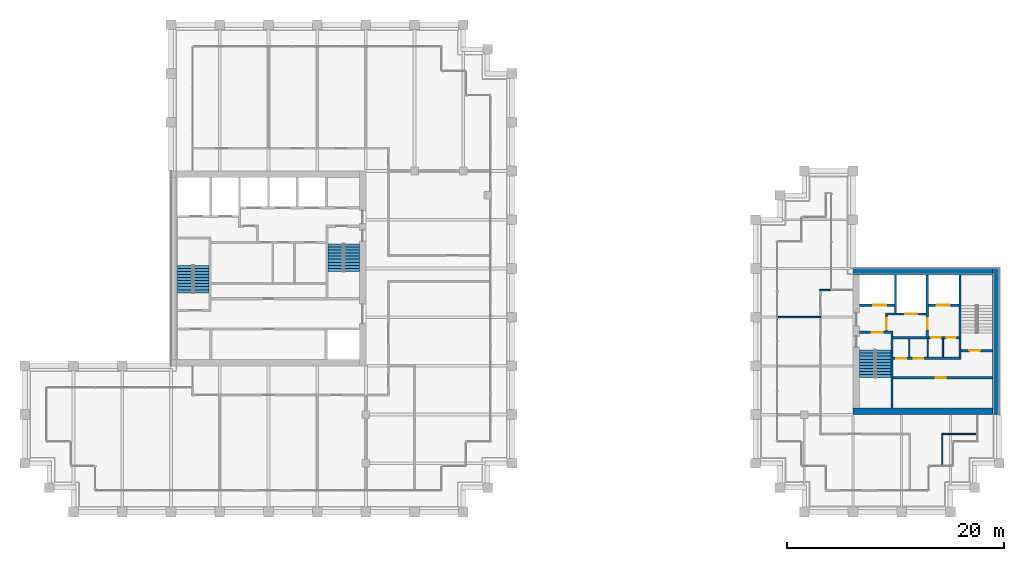
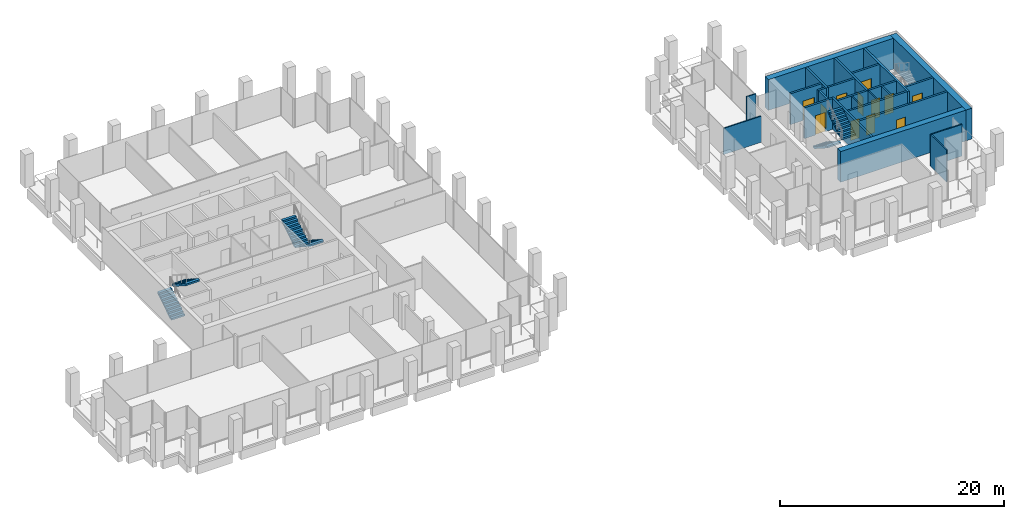
# One storey, part 38 of 40: 24 walls, 12 doors, 6 stair flights, 12 openings, 3 elements without a shape of their own.
"""IFC4 building model written with IfcOpenShell, lengths in metres."""

from ifc_helpers import new_model, si_unit, direction, frame, frame_2d, origin, place, context, subcontext, project, spatial, polyline, rectangle, outline, extrude, material, layer, layer_set, type_object, element, fill, aggregate, save


model = new_model("IFC4")

# Units and contexts
model_context = context("Model", 3, precision=1e-05, world=origin(), true_north=direction((0.0, 1.0)))
body_context = subcontext(model_context, "Body", "Model", "MODEL_VIEW")
ifc_project = project(units=[si_unit("LENGTHUNIT", "METRE"), si_unit("AREAUNIT", "SQUARE_METRE"), si_unit("VOLUMEUNIT", "CUBIC_METRE"), si_unit("PLANEANGLEUNIT", "RADIAN"), si_unit("MASSUNIT", "GRAM", prefix="KILO")], contexts=[model_context])

# Site, building, storey
site_placement = place(None, origin())
site = spatial("IfcSite", under=ifc_project, at=site_placement, CompositionType="ELEMENT")
building_placement = place(site_placement, origin())
building = spatial("IfcBuilding", under=site, at=building_placement, Name="Altepetl Exchange Towers", CompositionType="ELEMENT")
storey_placement = place(building_placement, frame((0.0, 0.0, 172.60009765625)))
storey = spatial("IfcBuildingStorey", under=building, at=storey_placement, Name="L43", CompositionType="ELEMENT", Elevation=172.60009765625)

# Walls
ifc_material_1 = material(Name="Concrete C70/85", Category="concrete")
ifc_layer_1 = layer(ifc_material_1, 0.60009765625)
ifc_layer_set_1 = layer_set([ifc_layer_1], Name="Concrete C70/85")
wall_type_1 = type_object("IfcWallType", Name="Core wall 600 reinforced concrete", PredefinedType="SHEAR", material=ifc_layer_set_1)
wall_1_placement = place(storey_placement, frame((103.5, 36.300048828125, 0.0)))
element("IfcWall", 1, at=wall_1_placement, inside=storey, type_object=wall_type_1, Name="wall:B:L43:K-coreS", PredefinedType="SHEAR", context=body_context, shape_type="SweptSolid", body=[
    extrude(rectangle(XDim=12.89990234375, YDim=0.60009765625, at=frame_2d((6.449951171875, 0.0))), origin(), (0.0, 0.0, 1.0), 3.349853515625),
])
ifc_layer_2 = layer(ifc_material_1, 0.60009765625)
ifc_layer_set_2 = layer_set([ifc_layer_2], Name="Concrete C70/85")
wall_type_2 = type_object("IfcWallType", Name="Core wall 600 reinforced concrete external", PredefinedType="SHEAR", material=ifc_layer_set_2)
wall_2_placement = place(storey_placement, frame((116.699951171875, 36.0, 0.0), z_axis=(0.0, 0.0, 1.0), x_axis=(0.0, 1.0, 0.0)))
element("IfcWall", 2, at=wall_2_placement, inside=storey, type_object=wall_type_2, Name="wall:B:L43:K-coreE", PredefinedType="SHEAR", context=body_context, shape_type="SweptSolid", body=[
    extrude(rectangle(XDim=13.5, YDim=0.60009765625, at=frame_2d((6.75, 0.0))), origin(), (0.0, 0.0, 1.0), 3.349853515625),
])
wall_3_placement = place(storey_placement, frame((103.5, 49.199951171875, 0.0)))
element("IfcWall", 3, at=wall_3_placement, inside=storey, type_object=wall_type_2, Name="wall:B:L43:K-coreN", PredefinedType="SHEAR", context=body_context, shape_type="SweptSolid", body=[
    extrude(rectangle(XDim=12.89990234375, YDim=0.60009765625, at=frame_2d((6.449951171875, 0.0))), origin(), (0.0, 0.0, 1.0), 3.349853515625),
])
ifc_material_2 = material(Name="Concrete blockwork", Category="masonry")
ifc_layer_3 = layer(ifc_material_2, 0.199951171875)
ifc_layer_set_3 = layer_set([ifc_layer_3], Name="Concrete blockwork")
wall_type_3 = type_object("IfcWallType", Name="Lobby wall 200 blockwork", PredefinedType="PARTITIONING", material=ifc_layer_set_3)
wall_4_placement = place(storey_placement, frame((106.5, 45.300048828125, 0.0)))
element("IfcWall", 4, at=wall_4_placement, inside=storey, type_object=wall_type_3, Name="wall:B:L43:K-ffNw", PredefinedType="PARTITIONING", context=body_context, shape_type="SweptSolid", body=[
    extrude(rectangle(XDim=0.833251953125, YDim=0.199951171875, at=frame_2d((0.41650390625, 0.0))), origin(), (0.0, 0.0, 1.0), 3.349853515625),
])

# Wall, opening, door
wall_5_placement = place(storey_placement, frame((106.60009765625, 43.699951171875, 0.0), z_axis=(0.0, 0.0, 1.0), x_axis=(0.0, 1.0, 0.0)))
wall_5 = element("IfcWall", 5, at=wall_5_placement, inside=storey, type_object=wall_type_3, Name="wall:B:L43:K-ffW", PredefinedType="PARTITIONING", context=body_context, shape_type="SweptSolid", body=[
    extrude(rectangle(XDim=1.5, YDim=0.199951171875, at=frame_2d((0.75, 0.0))), origin(), (0.0, 0.0, 1.0), 3.349853515625),
])
opening_1_placement = place(wall_5_placement, frame((0.199951171875, 0.0, 0.0)))
opening_1 = element("IfcOpeningElement", 6, at=opening_1_placement, cuts=wall_5, Name="Opening L43.B65", PredefinedType="OPENING", context=body_context, shape_type="SweptSolid", body=[
    extrude(rectangle(XDim=1.0, YDim=2.10009765625, at=frame_2d((0.5, 1.050048828125))), frame((0.0, 0.10986328125, 0.0), z_axis=(0.0, -1.0, 0.0), x_axis=(1.0, 0.0, 0.0)), (0.0, 0.0, 1.0), 0.219970703125),
])
ifc_material_3 = material(Name="Steel and timber fire door", Category="steel")
door_type_1 = type_object("IfcDoorType", Name="Fire door 1000 x 2100 stair and lobby", OperationType="SINGLE_SWING_LEFT", PredefinedType="DOOR", material=ifc_material_3)
door_1_placement = place(opening_1_placement, frame((1.0, 0.0, 0.0), x_axis=(-1.0, 0.0, 0.0)))
door_1 = element("IfcDoor", 7, at=door_1_placement, inside=storey, type_object=door_type_1, Name="door:B:L43:K-dffW", OperationType="SINGLE_SWING_LEFT", OverallHeight=2.10009765625, OverallWidth=1.0, PredefinedType="DOOR", context=body_context, shape_type="SweptSolid", body=[
    extrude(rectangle(XDim=1.0, YDim=2.10009765625, at=frame_2d((0.5, 1.050048828125))), frame((0.0, 0.02490234375, 0.0), z_axis=(0.0, -1.0, 0.0), x_axis=(1.0, 0.0, 0.0)), (0.0, 0.0, 1.0), 0.050048828125),
])
fill(opening_1, door_1)

# Wall, openings, doors
wall_6_placement = place(storey_placement, frame((107.199951171875, 43.10009765625, 0.0)))
wall_6 = element("IfcWall", 8, at=wall_6_placement, inside=storey, type_object=wall_type_3, Name="wall:B:L43:K-zoneN", PredefinedType="PARTITIONING", context=body_context, shape_type="SweptSolid", body=[
    extrude(rectangle(XDim=6.10009765625, YDim=0.199951171875, at=frame_2d((3.050048828125, 0.0))), origin(), (0.0, 0.0, 1.0), 3.349853515625),
])
opening_2_placement = place(wall_6_placement, frame((3.508544921875, 0.0, 0.0)))
opening_2 = element("IfcOpeningElement", 9, at=opening_2_placement, cuts=wall_6, Name="Opening L43.B69", PredefinedType="OPENING", context=body_context, shape_type="SweptSolid", body=[
    extrude(rectangle(XDim=0.89990234375, YDim=2.10009765625, at=frame_2d((0.449951171875, 1.050048828125))), frame((0.0, 0.10986328125, 0.0), z_axis=(0.0, -1.0, 0.0), x_axis=(1.0, 0.0, 0.0)), (0.0, 0.0, 1.0), 0.219970703125),
])
opening_3_placement = place(wall_6_placement, frame((4.89990234375, 0.0, 0.0)))
opening_3 = element("IfcOpeningElement", 10, at=opening_3_placement, cuts=wall_6, Name="Opening L43.B70", PredefinedType="OPENING", context=body_context, shape_type="SweptSolid", body=[
    extrude(rectangle(XDim=0.89990234375, YDim=2.10009765625, at=frame_2d((0.449951171875, 1.050048828125))), frame((0.0, 0.10986328125, 0.0), z_axis=(0.0, -1.0, 0.0), x_axis=(1.0, 0.0, 0.0)), (0.0, 0.0, 1.0), 0.219970703125),
])
door_type_2 = type_object("IfcDoorType", Name="Fire door 900 x 2100 service room", OperationType="SINGLE_SWING_LEFT", PredefinedType="DOOR", material=ifc_material_3)
door_2_placement = place(opening_2_placement, frame((0.89990234375, 0.0, 0.0), x_axis=(-1.0, 0.0, 0.0)))
door_2 = element("IfcDoor", 11, at=door_2_placement, inside=storey, type_object=door_type_2, Name="door:B:L43:K-dz3", OperationType="SINGLE_SWING_RIGHT", OverallHeight=2.10009765625, OverallWidth=0.89990234375, PredefinedType="DOOR", context=body_context, shape_type="SweptSolid", body=[
    extrude(rectangle(XDim=0.89990234375, YDim=2.10009765625, at=frame_2d((0.449951171875, 1.050048828125))), frame((0.0, 0.02490234375, 0.0), z_axis=(0.0, -1.0, 0.0), x_axis=(1.0, 0.0, 0.0)), (0.0, 0.0, 1.0), 0.050048828125),
])
fill(opening_2, door_2)
door_3_placement = place(opening_3_placement, frame((0.89990234375, 0.0, 0.0), x_axis=(-1.0, 0.0, 0.0)))
door_3 = element("IfcDoor", 12, at=door_3_placement, inside=storey, type_object=door_type_2, Name="door:B:L43:K-dz4", OperationType="SINGLE_SWING_LEFT", OverallHeight=2.10009765625, OverallWidth=0.89990234375, PredefinedType="DOOR", context=body_context, shape_type="SweptSolid", body=[
    extrude(rectangle(XDim=0.89990234375, YDim=2.10009765625, at=frame_2d((0.449951171875, 1.050048828125))), frame((0.0, 0.02490234375, 0.0), z_axis=(0.0, -1.0, 0.0), x_axis=(1.0, 0.0, 0.0)), (0.0, 0.0, 1.0), 0.050048828125),
])
fill(opening_3, door_3)

wall_7_placement = place(storey_placement, frame((107.199951171875, 41.199951171875, 0.0)))
wall_7 = element("IfcWall", 13, at=wall_7_placement, inside=storey, type_object=wall_type_3, Name="wall:B:L43:K-zoneS", PredefinedType="PARTITIONING", context=body_context, shape_type="SweptSolid", body=[
    extrude(rectangle(XDim=6.10009765625, YDim=0.199951171875, at=frame_2d((3.050048828125, 0.0))), origin(), (0.0, 0.0, 1.0), 3.349853515625),
])
opening_4_placement = place(wall_7_placement, frame((0.300048828125, 0.0, 0.0)))
opening_4 = element("IfcOpeningElement", 14, at=opening_4_placement, cuts=wall_7, Name="Opening L43.B67", PredefinedType="OPENING", context=body_context, shape_type="SweptSolid", body=[
    extrude(rectangle(XDim=0.89990234375, YDim=2.10009765625, at=frame_2d((0.449951171875, 1.050048828125))), frame((0.0, 0.10986328125, 0.0), z_axis=(0.0, -1.0, 0.0), x_axis=(1.0, 0.0, 0.0)), (0.0, 0.0, 1.0), 0.219970703125),
])
opening_5_placement = place(wall_7_placement, frame((1.89990234375, 0.0, 0.0)))
opening_5 = element("IfcOpeningElement", 15, at=opening_5_placement, cuts=wall_7, Name="Opening L43.B68", PredefinedType="OPENING", context=body_context, shape_type="SweptSolid", body=[
    extrude(rectangle(XDim=0.89990234375, YDim=2.10009765625, at=frame_2d((0.449951171875, 1.050048828125))), frame((0.0, 0.10986328125, 0.0), z_axis=(0.0, -1.0, 0.0), x_axis=(1.0, 0.0, 0.0)), (0.0, 0.0, 1.0), 0.219970703125),
])
door_4_placement = place(opening_4_placement, origin())
door_4 = element("IfcDoor", 16, at=door_4_placement, inside=storey, type_object=door_type_2, Name="door:B:L43:K-dz1", OperationType="SINGLE_SWING_RIGHT", OverallHeight=2.10009765625, OverallWidth=0.89990234375, PredefinedType="DOOR", context=body_context, shape_type="SweptSolid", body=[
    extrude(rectangle(XDim=0.89990234375, YDim=2.10009765625, at=frame_2d((0.449951171875, 1.050048828125))), frame((0.0, 0.02490234375, 0.0), z_axis=(0.0, -1.0, 0.0), x_axis=(1.0, 0.0, 0.0)), (0.0, 0.0, 1.0), 0.050048828125),
])
fill(opening_4, door_4)
door_5_placement = place(opening_5_placement, origin())
door_5 = element("IfcDoor", 17, at=door_5_placement, inside=storey, type_object=door_type_2, Name="door:B:L43:K-dz2", OperationType="SINGLE_SWING_RIGHT", OverallHeight=2.10009765625, OverallWidth=0.89990234375, PredefinedType="DOOR", context=body_context, shape_type="SweptSolid", body=[
    extrude(rectangle(XDim=0.89990234375, YDim=2.10009765625, at=frame_2d((0.449951171875, 1.050048828125))), frame((0.0, 0.02490234375, 0.0), z_axis=(0.0, -1.0, 0.0), x_axis=(1.0, 0.0, 0.0)), (0.0, 0.0, 1.0), 0.050048828125),
])
fill(opening_5, door_5)

# Walls
ifc_material_4 = material(Name="Gypsum board on steel studs", Category="steel")
ifc_layer_4 = layer(ifc_material_4, 0.125)
ifc_layer_set_4 = layer_set([ifc_layer_4], Name="Gypsum board on steel studs")
wall_type_4 = type_object("IfcWallType", Name="Partition 125 gypsum board on steel studs", PredefinedType="PARTITIONING", material=ifc_layer_set_4)
for number, where, z_axis, x_axis, name in (
    (18, (108.699951171875, 41.300048828125, 0.0), (0.0, 0.0, 1.0), (0.0, 1.0, 0.0), "wall:B:L43:K-zp1"),
    (19, (110.39990234375, 41.300048828125, 0.0), (0.0, 0.0, 1.0), (0.0, 1.0, 0.0), "wall:B:L43:K-zp2"),
    (20, (111.800048828125, 41.300048828125, 0.0), (0.0, 0.0, 1.0), (0.0, 1.0, 0.0), "wall:B:L43:K-zp3"),
):
    element("IfcWall", number, at=place(storey_placement, frame(where, z_axis=z_axis, x_axis=x_axis)), inside=storey, type_object=wall_type_4, Name=name, PredefinedType="PARTITIONING", context=body_context, shape_type="SweptSolid", body=[
        extrude(rectangle(XDim=1.699951171875, YDim=0.125, at=frame_2d((0.85009765625, 0.0))), origin(), (0.0, 0.0, 1.0), 3.349853515625),
    ])
wall_8_placement = place(storey_placement, frame((111.6875, 34.199951171875, 0.0)))
element("IfcWall", 21, at=wall_8_placement, inside=storey, type_object=wall_type_4, Name="wall:B:L43:P02", PredefinedType="PARTITIONING", context=body_context, shape_type="SweptSolid", body=[
    extrude(rectangle(XDim=3.21240234375, YDim=0.125, at=frame_2d((1.606201171875, 0.0))), origin(), (0.0, 0.0, 1.0), 3.449951171875),
])
wall_9_placement = place(storey_placement, frame((96.60009765625, 45.0, 0.0)))
element("IfcWall", 22, at=wall_9_placement, inside=storey, type_object=wall_type_4, Name="wall:B:L43:P06", PredefinedType="PARTITIONING", context=body_context, shape_type="SweptSolid", body=[
    extrude(rectangle(XDim=3.89990234375, YDim=0.125, at=frame_2d((1.949951171875, 0.0))), origin(), (0.0, 0.0, 1.0), 2.850830078125),
])
wall_10_placement = place(storey_placement, frame((100.4375, 47.5, 0.0)))
element("IfcWall", 23, at=wall_10_placement, inside=storey, type_object=wall_type_4, Name="wall:B:L43:P07", PredefinedType="PARTITIONING", context=body_context, shape_type="SweptSolid", body=[
    extrude(rectangle(XDim=0.96240234375, YDim=0.125, at=frame_2d((0.481201171875, 0.0))), origin(), (0.0, 0.0, 1.0), 3.449951171875),
])
wall_11_placement = place(storey_placement, frame((111.75, 31.35009765625, 0.0), z_axis=(0.0, 0.0, 1.0), x_axis=(0.0, 1.0, 0.0)))
element("IfcWall", 24, at=wall_11_placement, inside=storey, type_object=wall_type_4, Name="wall:B:L43:P10", PredefinedType="PARTITIONING", context=body_context, shape_type="SweptSolid", body=[
    extrude(rectangle(XDim=2.787353515625, YDim=0.125, at=frame_2d((1.3935546875, 0.0))), origin(), (0.0, 0.0, 1.0), 3.449951171875),
])
ifc_material_5 = material(Name="Concrete C40/50", Category="concrete")
ifc_layer_5 = layer(ifc_material_5, 0.199951171875)
ifc_layer_set_5 = layer_set([ifc_layer_5], Name="Concrete C40/50")
wall_type_5 = type_object("IfcWallType", Name="Shaft wall 200 reinforced concrete", PredefinedType="SHEAR", material=ifc_layer_set_5)
wall_12_placement = place(storey_placement, frame((107.433349609375, 48.89990234375, 0.0), z_axis=(0.0, 0.0, 1.0), x_axis=(0.0, -1.0, 0.0)))
element("IfcWall", 25, at=wall_12_placement, inside=storey, type_object=wall_type_5, Name="wall:B:L43:K-divN1", PredefinedType="SHEAR", context=body_context, shape_type="SweptSolid", body=[
    extrude(rectangle(XDim=3.699951171875, YDim=0.199951171875, at=frame_2d((1.85009765625, 0.0))), origin(), (0.0, 0.0, 1.0), 3.349853515625),
])

# Wall, opening, door
wall_13_placement = place(storey_placement, frame((110.36669921875, 48.89990234375, 0.0), z_axis=(0.0, 0.0, 1.0), x_axis=(0.0, -1.0, 0.0)))
wall_13 = element("IfcWall", 26, at=wall_13_placement, inside=storey, type_object=wall_type_5, Name="wall:B:L43:K-divN2", PredefinedType="SHEAR", context=body_context, shape_type="SweptSolid", body=[
    extrude(rectangle(XDim=5.7998046875, YDim=0.199951171875, at=frame_2d((2.89990234375, 0.0))), origin(), (0.0, 0.0, 1.0), 3.349853515625),
])
opening_6_placement = place(wall_13_placement, frame((4.0, 0.0, 0.0)))
opening_6 = element("IfcOpeningElement", 27, at=opening_6_placement, cuts=wall_13, Name="Opening L43.B64", PredefinedType="OPENING", context=body_context, shape_type="SweptSolid", body=[
    extrude(rectangle(XDim=1.0, YDim=2.10009765625, at=frame_2d((0.5, 1.050048828125))), frame((0.0, 0.10986328125, 0.0), z_axis=(0.0, -1.0, 0.0), x_axis=(1.0, 0.0, 0.0)), (0.0, 0.0, 1.0), 0.219970703125),
])
door_6_placement = place(opening_6_placement, frame((1.0, 0.0, 0.0), x_axis=(-1.0, 0.0, 0.0)))
door_6 = element("IfcDoor", 28, at=door_6_placement, inside=storey, type_object=door_type_1, Name="door:B:L43:K-dffE", OperationType="SINGLE_SWING_RIGHT", OverallHeight=2.10009765625, OverallWidth=1.0, PredefinedType="DOOR", context=body_context, shape_type="SweptSolid", body=[
    extrude(rectangle(XDim=1.0, YDim=2.10009765625, at=frame_2d((0.5, 1.050048828125))), frame((0.0, 0.02490234375, 0.0), z_axis=(0.0, -1.0, 0.0), x_axis=(1.0, 0.0, 0.0)), (0.0, 0.0, 1.0), 0.050048828125),
])
fill(opening_6, door_6)

wall_14_placement = place(storey_placement, frame((104.10009765625, 46.10009765625, 0.0)))
wall_14 = element("IfcWall", 29, at=wall_14_placement, inside=storey, type_object=wall_type_5, Name="wall:B:L43:K-frontNa", PredefinedType="SHEAR", context=body_context, shape_type="SweptSolid", body=[
    extrude(rectangle(XDim=3.233154296875, YDim=0.199951171875, at=frame_2d((1.61669921875, 0.0))), origin(), (0.0, 0.0, 1.0), 3.349853515625),
])
opening_7_placement = place(wall_14_placement, frame((1.2666015625, 0.0, 0.0)))
opening_7 = element("IfcOpeningElement", 30, at=opening_7_placement, cuts=wall_14, Name="Opening L43.B72", PredefinedType="OPENING", context=body_context, shape_type="SweptSolid", body=[
    extrude(rectangle(XDim=1.199951171875, YDim=2.10009765625, at=frame_2d((0.60009765625, 1.050048828125))), frame((0.0, 0.10986328125, 0.0), z_axis=(0.0, -1.0, 0.0), x_axis=(1.0, 0.0, 0.0)), (0.0, 0.0, 1.0), 0.219970703125),
])
ifc_material_6 = material(Name="Stainless steel", Category="steel")
door_type_3 = type_object("IfcDoorType", Name="Lift landing door 1200 x 2100", OperationType="SLIDING_TO_LEFT", PredefinedType="DOOR", material=ifc_material_6)
door_7_placement = place(opening_7_placement, origin())
door_7 = element("IfcDoor", 31, at=door_7_placement, inside=storey, type_object=door_type_3, Name="Landing door P4", OperationType="SLIDING_TO_LEFT", OverallHeight=2.10009765625, OverallWidth=1.199951171875, PredefinedType="DOOR", context=body_context, shape_type="SweptSolid", body=[
    extrude(rectangle(XDim=1.199951171875, YDim=2.10009765625, at=frame_2d((0.60009765625, 1.050048828125))), frame((0.0, 0.02490234375, 0.0), z_axis=(0.0, -1.0, 0.0), x_axis=(1.0, 0.0, 0.0)), (0.0, 0.0, 1.0), 0.050048828125),
])
fill(opening_7, door_7)

wall_15_placement = place(storey_placement, frame((110.466796875, 46.10009765625, 0.0)))
wall_15 = element("IfcWall", 32, at=wall_15_placement, inside=storey, type_object=wall_type_5, Name="wall:B:L43:K-frontNb", PredefinedType="SHEAR", context=body_context, shape_type="SweptSolid", body=[
    extrude(rectangle(XDim=2.833251953125, YDim=0.199951171875, at=frame_2d((1.41650390625, 0.0))), origin(), (0.0, 0.0, 1.0), 3.349853515625),
])
opening_8_placement = place(wall_15_placement, frame((0.7666015625, 0.0, 0.0)))
opening_8 = element("IfcOpeningElement", 33, at=opening_8_placement, cuts=wall_15, Name="Opening L43.B73", PredefinedType="OPENING", context=body_context, shape_type="SweptSolid", body=[
    extrude(rectangle(XDim=1.199951171875, YDim=2.10009765625, at=frame_2d((0.60009765625, 1.050048828125))), frame((0.0, 0.10986328125, 0.0), z_axis=(0.0, -1.0, 0.0), x_axis=(1.0, 0.0, 0.0)), (0.0, 0.0, 1.0), 0.219970703125),
])
door_8_placement = place(opening_8_placement, origin())
door_8 = element("IfcDoor", 34, at=door_8_placement, inside=storey, type_object=door_type_3, Name="Landing door P5", OperationType="SLIDING_TO_LEFT", OverallHeight=2.10009765625, OverallWidth=1.199951171875, PredefinedType="DOOR", context=body_context, shape_type="SweptSolid", body=[
    extrude(rectangle(XDim=1.199951171875, YDim=2.10009765625, at=frame_2d((0.60009765625, 1.050048828125))), frame((0.0, 0.02490234375, 0.0), z_axis=(0.0, -1.0, 0.0), x_axis=(1.0, 0.0, 0.0)), (0.0, 0.0, 1.0), 0.050048828125),
])
fill(opening_8, door_8)

wall_16_placement = place(storey_placement, frame((107.533203125, 45.300048828125, 0.0)))
wall_16 = element("IfcWall", 35, at=wall_16_placement, inside=storey, type_object=wall_type_5, Name="wall:B:L43:K-frontNd", PredefinedType="SHEAR", context=body_context, shape_type="SweptSolid", body=[
    extrude(rectangle(XDim=2.7333984375, YDim=0.199951171875, at=frame_2d((1.36669921875, 0.0))), origin(), (0.0, 0.0, 1.0), 3.349853515625),
])
opening_9_placement = place(wall_16_placement, frame((0.816650390625, 0.0, 0.0)))
opening_9 = element("IfcOpeningElement", 36, at=opening_9_placement, cuts=wall_16, Name="Opening L43.B71", PredefinedType="OPENING", context=body_context, shape_type="SweptSolid", body=[
    extrude(rectangle(XDim=1.10009765625, YDim=2.10009765625, at=frame_2d((0.550048828125, 1.050048828125))), frame((0.0, 0.10986328125, 0.0), z_axis=(0.0, -1.0, 0.0), x_axis=(1.0, 0.0, 0.0)), (0.0, 0.0, 1.0), 0.219970703125),
])
door_type_4 = type_object("IfcDoorType", Name="Lift landing door 1100 x 2100", OperationType="SLIDING_TO_LEFT", PredefinedType="DOOR", material=ifc_material_6)
door_9_placement = place(opening_9_placement, origin())
door_9 = element("IfcDoor", 37, at=door_9_placement, inside=storey, type_object=door_type_4, Name="Landing door FFL1", OperationType="SLIDING_TO_LEFT", OverallHeight=2.10009765625, OverallWidth=1.10009765625, PredefinedType="DOOR", context=body_context, shape_type="SweptSolid", body=[
    extrude(rectangle(XDim=1.10009765625, YDim=2.10009765625, at=frame_2d((0.550048828125, 1.050048828125))), frame((0.0, 0.02490234375, 0.0), z_axis=(0.0, -1.0, 0.0), x_axis=(1.0, 0.0, 0.0)), (0.0, 0.0, 1.0), 0.050048828125),
])
fill(opening_9, door_9)

wall_17_placement = place(storey_placement, frame((107.199951171875, 39.39990234375, 0.0)))
wall_17 = element("IfcWall", 38, at=wall_17_placement, inside=storey, type_object=wall_type_5, Name="wall:B:L43:K-frontS", PredefinedType="SHEAR", context=body_context, shape_type="SweptSolid", body=[
    extrude(rectangle(XDim=9.199951171875, YDim=0.199951171875, at=frame_2d((4.60009765625, 0.0))), origin(), (0.0, 0.0, 1.0), 3.349853515625),
])
opening_10_placement = place(wall_17_placement, frame((3.949951171875, 0.0, 0.0)))
opening_10 = element("IfcOpeningElement", 39, at=opening_10_placement, cuts=wall_17, Name="Opening L43.B66", PredefinedType="OPENING", context=body_context, shape_type="SweptSolid", body=[
    extrude(rectangle(XDim=0.89990234375, YDim=2.10009765625, at=frame_2d((0.449951171875, 1.050048828125))), frame((0.0, 0.10986328125, 0.0), z_axis=(0.0, -1.0, 0.0), x_axis=(1.0, 0.0, 0.0)), (0.0, 0.0, 1.0), 0.219970703125),
])
door_10_placement = place(opening_10_placement, frame((0.89990234375, 0.0, 0.0), x_axis=(-1.0, 0.0, 0.0)))
door_10 = element("IfcDoor", 40, at=door_10_placement, inside=storey, type_object=door_type_2, Name="door:B:L43:K-dslotS0", OperationType="SINGLE_SWING_LEFT", OverallHeight=2.10009765625, OverallWidth=0.89990234375, PredefinedType="DOOR", context=body_context, shape_type="SweptSolid", body=[
    extrude(rectangle(XDim=0.89990234375, YDim=2.10009765625, at=frame_2d((0.449951171875, 1.050048828125))), frame((0.0, 0.02490234375, 0.0), z_axis=(0.0, -1.0, 0.0), x_axis=(1.0, 0.0, 0.0)), (0.0, 0.0, 1.0), 0.050048828125),
])
fill(opening_10, door_10)

# Wall
ifc_layer_6 = layer(ifc_material_5, 0.199951171875)
ifc_layer_set_6 = layer_set([ifc_layer_6], Name="Concrete C40/50")
wall_type_6 = type_object("IfcWallType", Name="Stair wall 200 reinforced concrete", PredefinedType="SHEAR", material=ifc_layer_set_6)
wall_18_placement = place(storey_placement, frame((107.10009765625, 36.60009765625, 0.0), z_axis=(0.0, 0.0, 1.0), x_axis=(0.0, 1.0, 0.0)))
element("IfcWall", 41, at=wall_18_placement, inside=storey, type_object=wall_type_6, Name="wall:B:L43:K-stS1E", PredefinedType="SHEAR", context=body_context, shape_type="SweptSolid", body=[
    extrude(rectangle(XDim=7.099853515625, YDim=0.199951171875, at=frame_2d((3.5498046875, 0.0))), origin(), (0.0, 0.0, 1.0), 3.349853515625),
])

# Wall, opening, door
wall_19_placement = place(storey_placement, frame((104.10009765625, 43.60009765625, 0.0)))
wall_19 = element("IfcWall", 42, at=wall_19_placement, inside=storey, type_object=wall_type_6, Name="wall:B:L43:K-stS1N", PredefinedType="SHEAR", context=body_context, shape_type="SweptSolid", body=[
    extrude(rectangle(XDim=2.89990234375, YDim=0.199951171875, at=frame_2d((1.449951171875, 0.0))), origin(), (0.0, 0.0, 1.0), 3.349853515625),
])
opening_11_placement = place(wall_19_placement, frame((1.14990234375, 0.0, 0.0)))
opening_11 = element("IfcOpeningElement", 43, at=opening_11_placement, cuts=wall_19, Name="Opening L43.B61", PredefinedType="OPENING", context=body_context, shape_type="SweptSolid", body=[
    extrude(rectangle(XDim=1.0, YDim=2.10009765625, at=frame_2d((0.5, 1.050048828125))), frame((0.0, 0.10986328125, 0.0), z_axis=(0.0, -1.0, 0.0), x_axis=(1.0, 0.0, 0.0)), (0.0, 0.0, 1.0), 0.219970703125),
])
door_11_placement = place(opening_11_placement, frame((1.0, 0.0, 0.0), x_axis=(-1.0, 0.0, 0.0)))
door_11 = element("IfcDoor", 44, at=door_11_placement, inside=storey, type_object=door_type_1, Name="door:B:L43:K-dS1in", OperationType="SINGLE_SWING_LEFT", OverallHeight=2.10009765625, OverallWidth=1.0, PredefinedType="DOOR", context=body_context, shape_type="SweptSolid", body=[
    extrude(rectangle(XDim=1.0, YDim=2.10009765625, at=frame_2d((0.5, 1.050048828125))), frame((0.0, 0.02490234375, 0.0), z_axis=(0.0, -1.0, 0.0), x_axis=(1.0, 0.0, 0.0)), (0.0, 0.0, 1.0), 0.050048828125),
])
fill(opening_11, door_11)

wall_20_placement = place(storey_placement, frame((113.5, 41.89990234375, 0.0)))
wall_20 = element("IfcWall", 45, at=wall_20_placement, inside=storey, type_object=wall_type_6, Name="wall:B:L43:K-stS2S", PredefinedType="SHEAR", context=body_context, shape_type="SweptSolid", body=[
    extrude(rectangle(XDim=2.89990234375, YDim=0.199951171875, at=frame_2d((1.449951171875, 0.0))), origin(), (0.0, 0.0, 1.0), 3.349853515625),
])
opening_12_placement = place(wall_20_placement, frame((0.75, 0.0, 0.0)))
opening_12 = element("IfcOpeningElement", 46, at=opening_12_placement, cuts=wall_20, Name="Opening L43.B63", PredefinedType="OPENING", context=body_context, shape_type="SweptSolid", body=[
    extrude(rectangle(XDim=1.0, YDim=2.10009765625, at=frame_2d((0.5, 1.050048828125))), frame((0.0, 0.10986328125, 0.0), z_axis=(0.0, -1.0, 0.0), x_axis=(1.0, 0.0, 0.0)), (0.0, 0.0, 1.0), 0.219970703125),
])
door_12_placement = place(opening_12_placement, origin())
door_12 = element("IfcDoor", 47, at=door_12_placement, inside=storey, type_object=door_type_1, Name="door:B:L43:K-dS2in", OperationType="SINGLE_SWING_RIGHT", OverallHeight=2.10009765625, OverallWidth=1.0, PredefinedType="DOOR", context=body_context, shape_type="SweptSolid", body=[
    extrude(rectangle(XDim=1.0, YDim=2.10009765625, at=frame_2d((0.5, 1.050048828125))), frame((0.0, 0.02490234375, 0.0), z_axis=(0.0, -1.0, 0.0), x_axis=(1.0, 0.0, 0.0)), (0.0, 0.0, 1.0), 0.050048828125),
])
fill(opening_12, door_12)

# Wall
wall_21_placement = place(storey_placement, frame((113.39990234375, 41.10009765625, 0.0), z_axis=(0.0, 0.0, 1.0), x_axis=(0.0, 1.0, 0.0)))
element("IfcWall", 48, at=wall_21_placement, inside=storey, type_object=wall_type_6, Name="wall:B:L43:K-stS2W", PredefinedType="SHEAR", context=body_context, shape_type="SweptSolid", body=[
    extrude(rectangle(XDim=7.7998046875, YDim=0.199951171875, at=frame_2d((3.89990234375, 0.0))), origin(), (0.0, 0.0, 1.0), 3.349853515625),
])

# Stair, stair flights
stair_type = type_object("IfcStairType", Name="Exit stair 1400 flights dogleg", PredefinedType="HALF_TURN_STAIR", material=ifc_material_5)
stair_1_placement = place(storey_placement, origin())
stair_1 = element("IfcStair", 49, at=stair_1_placement, inside=storey, type_object=stair_type, Name="Exit stair 1", PredefinedType="HALF_TURN_STAIR")
stair_flight_type = type_object("IfcStairFlightType", Name="Stair flight 1400 wide", PredefinedType="STRAIGHT", material=ifc_material_5)
stair_flight_1_placement = place(storey_placement, frame((41.800048828125, 47.25, 0.0), z_axis=(0.0, 0.0, 1.0), x_axis=(0.0, 1.0, 0.0)))
stair_flight_1 = element("IfcStairFlight", 50, at=stair_flight_1_placement, type_object=stair_flight_type, Name="ST-A1e flight 1", NumberOfRisers=10, NumberOfTreads=9, PredefinedType="STRAIGHT", RiserHeight=0.18, TreadLength=0.28, context=body_context, shape_type="SweptSolid", body=[
    extrude(outline(polyline([(0.0, 0.0), (0.0, 0.179931640625), (0.280029296875, 0.179931640625), (0.280029296875, 0.360107421875), (0.56005859375, 0.360107421875), (0.56005859375, 0.5400390625), (0.840087890625, 0.5400390625), (0.840087890625, 0.719970703125), (1.1201171875, 0.719970703125), (1.1201171875, 0.89990234375), (1.39990234375, 0.89990234375), (1.39990234375, 1.080078125), (1.679931640625, 1.080078125), (1.679931640625, 1.260009765625), (1.9599609375, 1.260009765625), (1.9599609375, 1.43994140625), (2.239990234375, 1.43994140625), (2.239990234375, 1.6201171875), (2.52001953125, 1.6201171875), (2.52001953125, 1.800048828125), (2.52001953125, 1.44189453125), (0.277099609375, 0.0), (0.0, 0.0)])), frame((0.0, 0.699951171875, 0.0), z_axis=(0.0, -1.0, 0.0), x_axis=(1.0, 0.0, 0.0)), (0.0, 0.0, 1.0), 1.39990234375),
])
stair_flight_2_placement = place(storey_placement, frame((43.300048828125, 49.77001953125, 1.7998046875), z_axis=(0.0, 0.0, 1.0), x_axis=(0.0, -1.0, 0.0)))
stair_flight_2 = element("IfcStairFlight", 51, at=stair_flight_2_placement, type_object=stair_flight_type, Name="ST-A1e flight 2", NumberOfRisers=10, NumberOfTreads=9, PredefinedType="STRAIGHT", RiserHeight=0.18, TreadLength=0.28, context=body_context, shape_type="SweptSolid", body=[
    extrude(outline(polyline([(0.0, 0.0), (0.0, 0.179931640625), (0.280029296875, 0.179931640625), (0.280029296875, 0.360107421875), (0.56005859375, 0.360107421875), (0.56005859375, 0.5400390625), (0.840087890625, 0.5400390625), (0.840087890625, 0.719970703125), (1.1201171875, 0.719970703125), (1.1201171875, 0.89990234375), (1.39990234375, 0.89990234375), (1.39990234375, 1.080078125), (1.679931640625, 1.080078125), (1.679931640625, 1.260009765625), (1.9599609375, 1.260009765625), (1.9599609375, 1.43994140625), (2.239990234375, 1.43994140625), (2.239990234375, 1.6201171875), (2.52001953125, 1.6201171875), (2.52001953125, 1.800048828125), (2.52001953125, 1.44189453125), (0.277099609375, 0.0), (0.0, 0.0)])), frame((0.0, 0.699951171875, 0.0), z_axis=(0.0, -1.0, 0.0), x_axis=(1.0, 0.0, 0.0)), (0.0, 0.0, 1.0), 1.39990234375),
])
aggregate(stair_1, [stair_flight_1, stair_flight_2])

stair_2_placement = place(storey_placement, origin())
stair_2 = element("IfcStair", 52, at=stair_2_placement, inside=storey, type_object=stair_type, Name="Exit stair 2", PredefinedType="HALF_TURN_STAIR")
stair_flight_3_placement = place(storey_placement, frame((57.199951171875, 51.75, 0.0), z_axis=(0.0, 0.0, 1.0), x_axis=(0.0, -1.0, 0.0)))
stair_flight_3 = element("IfcStairFlight", 53, at=stair_flight_3_placement, type_object=stair_flight_type, Name="ST-A2e flight 1", NumberOfRisers=10, NumberOfTreads=9, PredefinedType="STRAIGHT", RiserHeight=0.18, TreadLength=0.28, context=body_context, shape_type="SweptSolid", body=[
    extrude(outline(polyline([(0.0, 0.0), (0.0, 0.179931640625), (0.280029296875, 0.179931640625), (0.280029296875, 0.360107421875), (0.56005859375, 0.360107421875), (0.56005859375, 0.5400390625), (0.840087890625, 0.5400390625), (0.840087890625, 0.719970703125), (1.1201171875, 0.719970703125), (1.1201171875, 0.89990234375), (1.39990234375, 0.89990234375), (1.39990234375, 1.080078125), (1.679931640625, 1.080078125), (1.679931640625, 1.260009765625), (1.9599609375, 1.260009765625), (1.9599609375, 1.43994140625), (2.239990234375, 1.43994140625), (2.239990234375, 1.6201171875), (2.52001953125, 1.6201171875), (2.52001953125, 1.800048828125), (2.52001953125, 1.44189453125), (0.277099609375, 0.0), (0.0, 0.0)])), frame((0.0, 0.699951171875, 0.0), z_axis=(0.0, -1.0, 0.0), x_axis=(1.0, 0.0, 0.0)), (0.0, 0.0, 1.0), 1.39990234375),
])
stair_flight_4_placement = place(storey_placement, frame((55.699951171875, 49.22998046875, 1.7998046875), z_axis=(0.0, 0.0, 1.0), x_axis=(0.0, 1.0, 0.0)))
stair_flight_4 = element("IfcStairFlight", 54, at=stair_flight_4_placement, type_object=stair_flight_type, Name="ST-A2e flight 2", NumberOfRisers=10, NumberOfTreads=9, PredefinedType="STRAIGHT", RiserHeight=0.18, TreadLength=0.28, context=body_context, shape_type="SweptSolid", body=[
    extrude(outline(polyline([(0.0, 0.0), (0.0, 0.179931640625), (0.280029296875, 0.179931640625), (0.280029296875, 0.360107421875), (0.56005859375, 0.360107421875), (0.56005859375, 0.5400390625), (0.840087890625, 0.5400390625), (0.840087890625, 0.719970703125), (1.1201171875, 0.719970703125), (1.1201171875, 0.89990234375), (1.39990234375, 0.89990234375), (1.39990234375, 1.080078125), (1.679931640625, 1.080078125), (1.679931640625, 1.260009765625), (1.9599609375, 1.260009765625), (1.9599609375, 1.43994140625), (2.239990234375, 1.43994140625), (2.239990234375, 1.6201171875), (2.52001953125, 1.6201171875), (2.52001953125, 1.800048828125), (2.52001953125, 1.44189453125), (0.277099609375, 0.0), (0.0, 0.0)])), frame((0.0, 0.699951171875, 0.0), z_axis=(0.0, -1.0, 0.0), x_axis=(1.0, 0.0, 0.0)), (0.0, 0.0, 1.0), 1.39990234375),
])
aggregate(stair_2, [stair_flight_3, stair_flight_4])

stair_3_placement = place(storey_placement, origin())
stair_3 = element("IfcStair", 55, at=stair_3_placement, inside=storey, type_object=stair_type, Name="Exit stair 1", PredefinedType="HALF_TURN_STAIR")
stair_flight_5_placement = place(storey_placement, frame((104.800048828125, 41.949951171875, 0.0), z_axis=(0.0, 0.0, 1.0), x_axis=(0.0, -1.0, 0.0)))
stair_flight_5 = element("IfcStairFlight", 56, at=stair_flight_5_placement, type_object=stair_flight_type, Name="ST-B1e flight 1", NumberOfRisers=10, NumberOfTreads=9, PredefinedType="STRAIGHT", RiserHeight=0.18, TreadLength=0.28, context=body_context, shape_type="SweptSolid", body=[
    extrude(outline(polyline([(0.0, 0.0), (0.0, 0.179931640625), (0.280029296875, 0.179931640625), (0.280029296875, 0.360107421875), (0.56005859375, 0.360107421875), (0.56005859375, 0.5400390625), (0.840087890625, 0.5400390625), (0.840087890625, 0.719970703125), (1.1201171875, 0.719970703125), (1.1201171875, 0.89990234375), (1.39990234375, 0.89990234375), (1.39990234375, 1.080078125), (1.679931640625, 1.080078125), (1.679931640625, 1.260009765625), (1.9599609375, 1.260009765625), (1.9599609375, 1.43994140625), (2.239990234375, 1.43994140625), (2.239990234375, 1.6201171875), (2.52001953125, 1.6201171875), (2.52001953125, 1.800048828125), (2.52001953125, 1.44189453125), (0.277099609375, 0.0), (0.0, 0.0)])), frame((0.0, 0.699951171875, 0.0), z_axis=(0.0, -1.0, 0.0), x_axis=(1.0, 0.0, 0.0)), (0.0, 0.0, 1.0), 1.39990234375),
])
stair_flight_6_placement = place(storey_placement, frame((106.300048828125, 39.429931640625, 1.7998046875), z_axis=(0.0, 0.0, 1.0), x_axis=(0.0, 1.0, 0.0)))
stair_flight_6 = element("IfcStairFlight", 57, at=stair_flight_6_placement, type_object=stair_flight_type, Name="ST-B1e flight 2", NumberOfRisers=10, NumberOfTreads=9, PredefinedType="STRAIGHT", RiserHeight=0.18, TreadLength=0.28, context=body_context, shape_type="SweptSolid", body=[
    extrude(outline(polyline([(0.0, 0.0), (0.0, 0.179931640625), (0.280029296875, 0.179931640625), (0.280029296875, 0.360107421875), (0.56005859375, 0.360107421875), (0.56005859375, 0.5400390625), (0.840087890625, 0.5400390625), (0.840087890625, 0.719970703125), (1.1201171875, 0.719970703125), (1.1201171875, 0.89990234375), (1.39990234375, 0.89990234375), (1.39990234375, 1.080078125), (1.679931640625, 1.080078125), (1.679931640625, 1.260009765625), (1.9599609375, 1.260009765625), (1.9599609375, 1.43994140625), (2.239990234375, 1.43994140625), (2.239990234375, 1.6201171875), (2.52001953125, 1.6201171875), (2.52001953125, 1.800048828125), (2.52001953125, 1.44189453125), (0.277099609375, 0.0), (0.0, 0.0)])), frame((0.0, 0.699951171875, 0.0), z_axis=(0.0, -1.0, 0.0), x_axis=(1.0, 0.0, 0.0)), (0.0, 0.0, 1.0), 1.39990234375),
])
aggregate(stair_3, [stair_flight_5, stair_flight_6])

save(model, "model.ifc")
